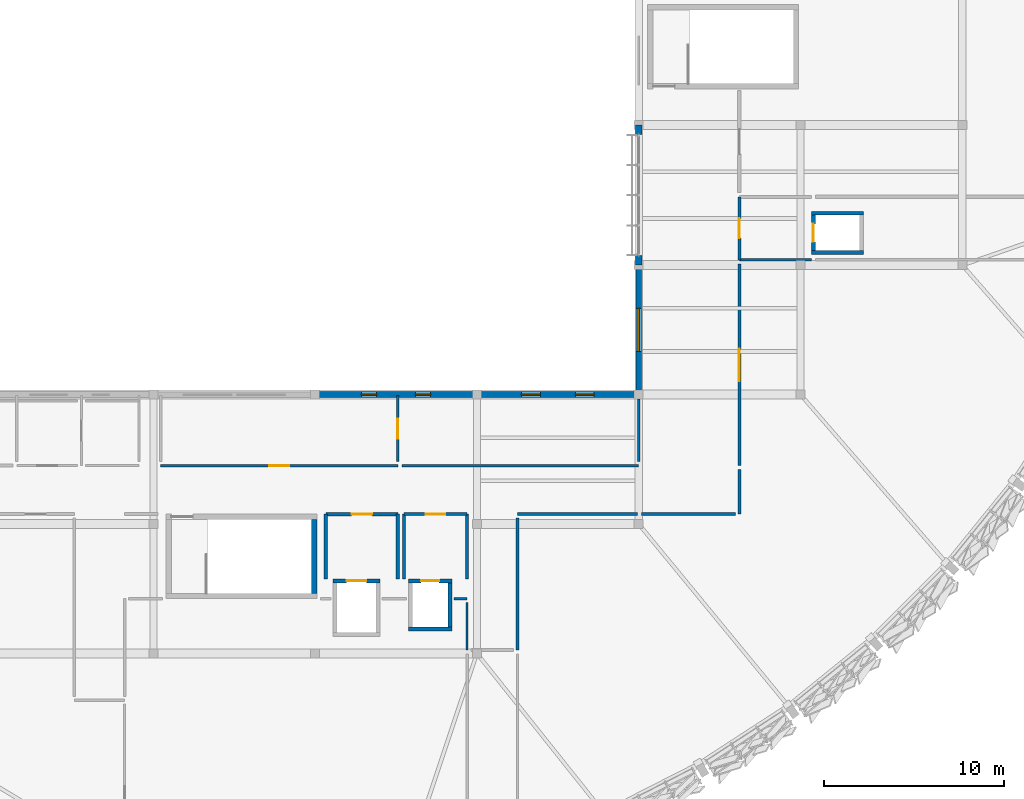
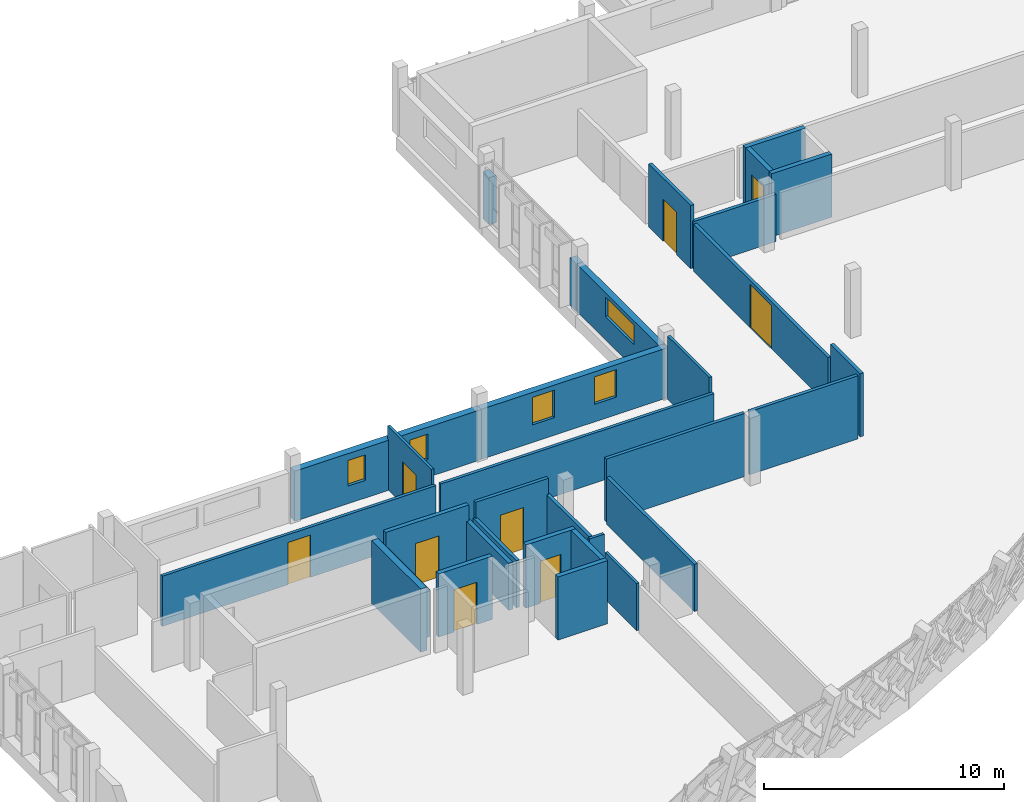
# One storey, part 22 of 24: 32 walls, 9 doors, 5 windows, 14 openings.
"""IFC4 building model written with IfcOpenShell, lengths in metres."""

from ifc_helpers import new_model, si_unit, direction, frame, frame_2d, origin, place, context, subcontext, project, spatial, rectangle, extrude, material, layer, layer_set, type_object, element, fill, save


model = new_model("IFC4")

# Units and contexts
model_context = context("Model", 3, precision=1e-05, world=origin(), true_north=direction((0.0, 1.0)))
body_context = subcontext(model_context, "Body", "Model", "MODEL_VIEW")
ifc_project = project(units=[si_unit("LENGTHUNIT", "METRE"), si_unit("AREAUNIT", "SQUARE_METRE"), si_unit("VOLUMEUNIT", "CUBIC_METRE"), si_unit("PLANEANGLEUNIT", "RADIAN"), si_unit("MASSUNIT", "GRAM", prefix="KILO")], contexts=[model_context])

# Site, building, storey
site_placement = place(None, origin())
site = spatial("IfcSite", under=ifc_project, at=site_placement, CompositionType="ELEMENT")
building_placement = place(site_placement, origin())
building = spatial("IfcBuilding", under=site, at=building_placement, Name="Chiffa Square Polytechnic", CompositionType="ELEMENT")
storey_placement = place(building_placement, frame((0.0, 0.0, 26.39990234375)))
storey = spatial("IfcBuildingStorey", under=building, at=storey_placement, Name="L06", CompositionType="ELEMENT", Elevation=26.39990234375)

# Wall
ifc_material_1 = material(Name="Concrete C40/50", Category="concrete")
ifc_layer_1 = layer(ifc_material_1, 0.300048828125, Name="Concrete C40/50")
ifc_layer_set_1 = layer_set([ifc_layer_1], Name="Concrete C40/50")
wall_type_1 = type_object("IfcWallType", Name="WL-CORE-300", PredefinedType="SHEAR", material=ifc_layer_set_1)
wall_1_placement = place(storey_placement, frame((130.14990234375, 17.75, 0.0), z_axis=(0.0, 0.0, 1.0), x_axis=(0.0, 1.0, 0.0)))
element("IfcWall", 1, at=wall_1_placement, inside=storey, type_object=wall_type_1, Name="Core or enclosure wall WC-CORE-V1A-L06-EAST", PredefinedType="SHEAR", context=body_context, shape_type="SweptSolid", body=[
    extrude(rectangle(XDim=4.10009765625, YDim=0.300048828125, at=frame_2d((2.050048828125, 0.0))), origin(), (0.0, 0.0, 1.0), 3.22021484375),
])

# Wall, opening, window
ifc_material_2 = material(Name="Precast concrete C40/50", Category="concrete")
ifc_layer_2 = layer(ifc_material_2, 0.300048828125, Name="Precast concrete C40/50")
ifc_layer_set_2 = layer_set([ifc_layer_2], Name="Precast concrete C40/50")
wall_type_2 = type_object("IfcWallType", Name="WL-EXT-PC300", PredefinedType="SOLIDWALL", material=ifc_layer_set_2)
wall_2_placement = place(storey_placement, frame((148.199951171875, 36.0, 0.0), z_axis=(0.0, 0.0, 1.0), x_axis=(0.0, -1.0, 0.0)))
wall_2 = element("IfcWall", 2, at=wall_2_placement, inside=storey, type_object=wall_type_2, Name="Exterior wall WE-V1-L06-0093", PredefinedType="SOLIDWALL", context=body_context, shape_type="SweptSolid", body=[
    extrude(rectangle(XDim=7.199951171875, YDim=0.300048828125, at=frame_2d((3.60009765625, 0.0))), origin(), (0.0, 0.0, 1.0), 2.405029296875),
])
opening_1_placement = place(wall_2_placement, frame((2.39990234375, 0.0, 1.18505859375)))
opening_1 = element("IfcOpeningElement", 3, at=opening_1_placement, cuts=wall_2, Name="Opening WCL-03", PredefinedType="OPENING", context=body_context, shape_type="SweptSolid", body=[
    extrude(rectangle(XDim=2.39990234375, YDim=1.0, at=frame_2d((1.199951171875, 0.5))), frame((0.0, 0.16015625, 0.0), z_axis=(0.0, -1.0, 0.0), x_axis=(1.0, 0.0, 0.0)), (0.0, 0.0, 1.0), 0.320068359375),
])
ifc_material_3 = material(Name="Double glazing in thermally broken aluminium frame", Category="aluminium")
window_type_1 = type_object("IfcWindowType", Name="WIN-CLR-2400X1000", PartitioningType="DOUBLE_PANEL_VERTICAL", PredefinedType="WINDOW", material=ifc_material_3)
window_1_placement = place(opening_1_placement, origin())
window_1 = element("IfcWindow", 4, at=window_1_placement, inside=storey, type_object=window_type_1, Name="Facade window WN-L06-0092", OverallHeight=1.0, OverallWidth=2.39990234375, PartitioningType="DOUBLE_PANEL_VERTICAL", PredefinedType="WINDOW", context=body_context, shape_type="SweptSolid", body=[
    extrude(rectangle(XDim=2.39990234375, YDim=1.0, at=frame_2d((1.199951171875, 0.5))), frame((0.0, 0.030029296875, 0.0), z_axis=(0.0, -1.0, 0.0), x_axis=(1.0, 0.0, 0.0)), (0.0, 0.0, 1.0), 0.06005859375),
])
fill(opening_1, window_1)

# Wall, openings, windows
ifc_layer_3 = layer(ifc_material_2, 0.320068359375, Name="Precast concrete C40/50")
ifc_layer_set_3 = layer_set([ifc_layer_3], Name="Precast concrete C40/50")
wall_type_3 = type_object("IfcWallType", Name="WL-EXT-PC320", PredefinedType="SOLIDWALL", material=ifc_layer_set_3)
wall_3_placement = place(storey_placement, frame((148.199951171875, 28.800048828125, 0.0), z_axis=(0.0, 0.0, 1.0), x_axis=(-1.0, 0.0, 0.0)))
wall_3 = element("IfcWall", 5, at=wall_3_placement, inside=storey, type_object=wall_type_3, Name="Exterior wall WE-V1-L06-0094", PredefinedType="SOLIDWALL", context=body_context, shape_type="SweptSolid", body=[
    extrude(rectangle(XDim=9.0, YDim=0.320068359375, at=frame_2d((4.5, 0.0))), origin(), (0.0, 0.0, 1.0), 2.55517578125),
])
opening_2_placement = place(wall_3_placement, frame((2.47509765625, 0.0, 0.89990234375)))
opening_2 = element("IfcOpeningElement", 6, at=opening_2_placement, cuts=wall_3, Name="Opening W-20", PredefinedType="OPENING", context=body_context, shape_type="SweptSolid", body=[
    extrude(rectangle(XDim=1.050048828125, YDim=1.39990234375, at=frame_2d((0.52490234375, 0.699951171875))), frame((0.0, 0.169921875, 0.0), z_axis=(0.0, -1.0, 0.0), x_axis=(1.0, 0.0, 0.0)), (0.0, 0.0, 1.0), 0.340087890625),
])
opening_3_placement = place(wall_3_placement, frame((5.47509765625, 0.0, 0.89990234375)))
opening_3 = element("IfcOpeningElement", 7, at=opening_3_placement, cuts=wall_3, Name="Opening W-20", PredefinedType="OPENING", context=body_context, shape_type="SweptSolid", body=[
    extrude(rectangle(XDim=1.050048828125, YDim=1.39990234375, at=frame_2d((0.52490234375, 0.699951171875))), frame((0.0, 0.169921875, 0.0), z_axis=(0.0, -1.0, 0.0), x_axis=(1.0, 0.0, 0.0)), (0.0, 0.0, 1.0), 0.340087890625),
])
window_type_2 = type_object("IfcWindowType", Name="WIN-OFF-1050X1400", PartitioningType="DOUBLE_PANEL_VERTICAL", PredefinedType="WINDOW", material=ifc_material_3)
window_2_placement = place(opening_2_placement, origin())
window_2 = element("IfcWindow", 8, at=window_2_placement, inside=storey, type_object=window_type_2, Name="Facade window WN-L06-0093", OverallHeight=1.39990234375, OverallWidth=1.050048828125, PartitioningType="DOUBLE_PANEL_VERTICAL", PredefinedType="WINDOW", context=body_context, shape_type="SweptSolid", body=[
    extrude(rectangle(XDim=1.050048828125, YDim=1.39990234375, at=frame_2d((0.52490234375, 0.699951171875))), frame((0.0, 0.030029296875, 0.0), z_axis=(0.0, -1.0, 0.0), x_axis=(1.0, 0.0, 0.0)), (0.0, 0.0, 1.0), 0.06005859375),
])
fill(opening_2, window_2)
window_3_placement = place(opening_3_placement, origin())
window_3 = element("IfcWindow", 9, at=window_3_placement, inside=storey, type_object=window_type_2, Name="Facade window WN-L06-0094", OverallHeight=1.39990234375, OverallWidth=1.050048828125, PartitioningType="DOUBLE_PANEL_VERTICAL", PredefinedType="WINDOW", context=body_context, shape_type="SweptSolid", body=[
    extrude(rectangle(XDim=1.050048828125, YDim=1.39990234375, at=frame_2d((0.52490234375, 0.699951171875))), frame((0.0, 0.030029296875, 0.0), z_axis=(0.0, -1.0, 0.0), x_axis=(1.0, 0.0, 0.0)), (0.0, 0.0, 1.0), 0.06005859375),
])
fill(opening_3, window_3)

# Walls
ifc_layer_4 = layer(ifc_material_2, 0.340087890625, Name="Precast concrete C40/50")
ifc_layer_set_4 = layer_set([ifc_layer_4], Name="Precast concrete C40/50")
wall_type_4 = type_object("IfcWallType", Name="WL-EXT-PC340", PredefinedType="SOLIDWALL", material=ifc_layer_set_4)
for number, where, z_axis, x_axis, name in (
    (10, (148.199951171875, 43.800048828125, 0.0), (0.0, 0.0, 1.0), (0.0, -1.0, 0.0), "Facade column pier V1-L06-0092L"),
    (11, (148.199951171875, 36.5400390625, 0.0), (0.0, 0.0, 1.0), (0.0, -1.0, 0.0), "Facade column pier V1-L06-0092R"),
):
    element("IfcWall", number, at=place(storey_placement, frame(where, z_axis=z_axis, x_axis=x_axis)), inside=storey, type_object=wall_type_4, Name=name, PredefinedType="SOLIDWALL", context=body_context, shape_type="SweptSolid", body=[
        extrude(rectangle(XDim=0.5400390625, YDim=0.340087890625, at=frame_2d((0.27001953125, 0.0))), origin(), (0.0, 0.0, 1.0), 2.405029296875),
    ])

# Wall, openings, windows
wall_4_placement = place(storey_placement, frame((139.199951171875, 28.800048828125, 0.0), z_axis=(0.0, 0.0, 1.0), x_axis=(-1.0, 0.0, 0.0)))
wall_4 = element("IfcWall", 12, at=wall_4_placement, inside=storey, type_object=wall_type_4, Name="Exterior wall WE-V1-L06-0095", PredefinedType="SOLIDWALL", context=body_context, shape_type="SweptSolid", body=[
    extrude(rectangle(XDim=9.0, YDim=0.340087890625, at=frame_2d((4.5, 0.0))), origin(), (0.0, 0.0, 1.0), 2.55517578125),
])
opening_4_placement = place(wall_4_placement, frame((2.574951171875, 0.0, 0.89990234375)))
opening_4 = element("IfcOpeningElement", 13, at=opening_4_placement, cuts=wall_4, Name="Opening W-22", PredefinedType="OPENING", context=body_context, shape_type="SweptSolid", body=[
    extrude(rectangle(XDim=0.85009765625, YDim=1.300048828125, at=frame_2d((0.425048828125, 0.64990234375))), frame((0.0, 0.18017578125, 0.0), z_axis=(0.0, -1.0, 0.0), x_axis=(1.0, 0.0, 0.0)), (0.0, 0.0, 1.0), 0.360107421875),
])
opening_5_placement = place(wall_4_placement, frame((5.574951171875, 0.0, 0.89990234375)))
opening_5 = element("IfcOpeningElement", 14, at=opening_5_placement, cuts=wall_4, Name="Opening W-22", PredefinedType="OPENING", context=body_context, shape_type="SweptSolid", body=[
    extrude(rectangle(XDim=0.85009765625, YDim=1.300048828125, at=frame_2d((0.425048828125, 0.64990234375))), frame((0.0, 0.18017578125, 0.0), z_axis=(0.0, -1.0, 0.0), x_axis=(1.0, 0.0, 0.0)), (0.0, 0.0, 1.0), 0.360107421875),
])
window_type_3 = type_object("IfcWindowType", Name="WIN-OFF-0850X1300", PartitioningType="DOUBLE_PANEL_VERTICAL", PredefinedType="WINDOW", material=ifc_material_3)
window_4_placement = place(opening_4_placement, origin())
window_4 = element("IfcWindow", 15, at=window_4_placement, inside=storey, type_object=window_type_3, Name="Facade window WN-L06-0095", OverallHeight=1.300048828125, OverallWidth=0.85009765625, PartitioningType="DOUBLE_PANEL_VERTICAL", PredefinedType="WINDOW", context=body_context, shape_type="SweptSolid", body=[
    extrude(rectangle(XDim=0.85009765625, YDim=1.300048828125, at=frame_2d((0.425048828125, 0.64990234375))), frame((0.0, 0.030029296875, 0.0), z_axis=(0.0, -1.0, 0.0), x_axis=(1.0, 0.0, 0.0)), (0.0, 0.0, 1.0), 0.06005859375),
])
fill(opening_4, window_4)
window_5_placement = place(opening_5_placement, origin())
window_5 = element("IfcWindow", 16, at=window_5_placement, inside=storey, type_object=window_type_3, Name="Facade window WN-L06-0096", OverallHeight=1.300048828125, OverallWidth=0.85009765625, PartitioningType="DOUBLE_PANEL_VERTICAL", PredefinedType="WINDOW", context=body_context, shape_type="SweptSolid", body=[
    extrude(rectangle(XDim=0.85009765625, YDim=1.300048828125, at=frame_2d((0.425048828125, 0.64990234375))), frame((0.0, 0.030029296875, 0.0), z_axis=(0.0, -1.0, 0.0), x_axis=(1.0, 0.0, 0.0)), (0.0, 0.0, 1.0), 0.06005859375),
])
fill(opening_5, window_5)

# Wall, opening, door
ifc_material_4 = material(Name="Gypsum board on steel stud", Category="steel")
ifc_layer_5 = layer(ifc_material_4, 0.125, Name="Gypsum board on steel stud")
ifc_layer_set_5 = layer_set([ifc_layer_5], Name="Gypsum board on steel stud")
wall_type_5 = type_object("IfcWallType", Name="WL-PART-125", PredefinedType="PARTITIONING", material=ifc_layer_set_5)
wall_5_placement = place(storey_placement, frame((134.800048828125, 25.070068359375, 0.0), z_axis=(0.0, 0.0, 1.0), x_axis=(0.0, 1.0, 0.0)))
wall_5 = element("IfcWall", 17, at=wall_5_placement, inside=storey, type_object=wall_type_5, Name="Interior partition WP-V1-L06-0722", PredefinedType="PARTITIONING", context=body_context, shape_type="SweptSolid", body=[
    extrude(rectangle(XDim=3.675048828125, YDim=0.125, at=frame_2d((1.83740234375, 0.0))), origin(), (0.0, 0.0, 1.0), 3.22021484375),
])
opening_6_placement = place(wall_5_placement, frame((1.2880859375, 0.0, 0.0)))
opening_6 = element("IfcOpeningElement", 18, at=opening_6_placement, cuts=wall_5, Name="Opening DI-L06-243", PredefinedType="OPENING", context=body_context, shape_type="SweptSolid", body=[
    extrude(rectangle(XDim=1.10009765625, YDim=2.14990234375, at=frame_2d((0.550048828125, 1.074951171875))), frame((0.0, 0.072509765625, 0.0), z_axis=(0.0, -1.0, 0.0), x_axis=(1.0, 0.0, 0.0)), (0.0, 0.0, 1.0), 0.14501953125),
])
ifc_material_5 = material(Name="Solid core ash veneer door")
door_type_1 = type_object("IfcDoorType", Name="DR-INT-1100", OperationType="NOTDEFINED", PredefinedType="DOOR", material=ifc_material_5)
door_1_placement = place(opening_6_placement, origin())
door_1 = element("IfcDoor", 19, at=door_1_placement, inside=storey, type_object=door_type_1, Name="Interior room door DI-L06-243", OperationType="SINGLE_SWING_RIGHT", OverallHeight=2.14990234375, OverallWidth=1.10009765625, PredefinedType="DOOR", context=body_context, shape_type="SweptSolid", body=[
    extrude(rectangle(XDim=1.10009765625, YDim=2.14990234375, at=frame_2d((0.550048828125, 1.074951171875))), frame((0.0, 0.02490234375, 0.0), z_axis=(0.0, -1.0, 0.0), x_axis=(1.0, 0.0, 0.0)), (0.0, 0.0, 1.0), 0.050048828125),
])
fill(opening_6, door_1)

# Walls
wall_6_placement = place(storey_placement, frame((138.64990234375, 14.60009765625, 0.0), z_axis=(0.0, 0.0, 1.0), x_axis=(0.0, 1.0, 0.0)))
element("IfcWall", 20, at=wall_6_placement, inside=storey, type_object=wall_type_5, Name="Interior partition WP-V1-L06-0743", PredefinedType="PARTITIONING", context=body_context, shape_type="SweptSolid", body=[
    extrude(rectangle(XDim=2.6298828125, YDim=0.125, at=frame_2d((1.31494140625, 0.0))), origin(), (0.0, 0.0, 1.0), 2.405029296875),
])
ifc_layer_6 = layer(ifc_material_4, 0.135009765625, Name="Gypsum board on steel stud")
ifc_layer_set_6 = layer_set([ifc_layer_6], Name="Gypsum board on steel stud")
wall_type_6 = type_object("IfcWallType", Name="WL-PART-135", PredefinedType="PARTITIONING", material=ifc_layer_set_6)
wall_7_placement = place(storey_placement, frame((148.199951171875, 25.070068359375, 0.0), z_axis=(0.0, 0.0, 1.0), x_axis=(0.0, 1.0, 0.0)))
element("IfcWall", 21, at=wall_7_placement, inside=storey, type_object=wall_type_6, Name="Interior partition WP-V1-L06-0724", PredefinedType="PARTITIONING", context=body_context, shape_type="SweptSolid", body=[
    extrude(rectangle(XDim=3.489990234375, YDim=0.135009765625, at=frame_2d((1.7451171875, 0.0))), origin(), (0.0, 0.0, 1.0), 3.22021484375),
])
wall_8_placement = place(storey_placement, frame((137.929931640625, 17.449951171875, 0.0), z_axis=(0.0, 0.0, 1.0), x_axis=(1.0, 0.0, 0.0)))
element("IfcWall", 22, at=wall_8_placement, inside=storey, type_object=wall_type_6, Name="Interior partition WP-V1-L06-0742", PredefinedType="PARTITIONING", context=body_context, shape_type="SweptSolid", body=[
    extrude(rectangle(XDim=0.719970703125, YDim=0.135009765625, at=frame_2d((0.35986328125, 0.0))), origin(), (0.0, 0.0, 1.0), 3.22021484375),
])

# Wall, opening, door
ifc_layer_7 = layer(ifc_material_4, 0.14501953125, Name="Gypsum board on steel stud")
ifc_layer_set_7 = layer_set([ifc_layer_7], Name="Gypsum board on steel stud")
wall_type_7 = type_object("IfcWallType", Name="WL-PART-145", PredefinedType="PARTITIONING", material=ifc_layer_set_7)
wall_9_placement = place(storey_placement, frame((121.60009765625, 24.85009765625, 0.0), z_axis=(0.0, 0.0, 1.0), x_axis=(1.0, 0.0, 0.0)))
wall_9 = element("IfcWall", 23, at=wall_9_placement, inside=storey, type_object=wall_type_7, Name="Interior partition WP-V1-L06-0720", PredefinedType="PARTITIONING", context=body_context, shape_type="SweptSolid", body=[
    extrude(rectangle(XDim=13.199951171875, YDim=0.14501953125, at=frame_2d((6.60009765625, 0.0))), origin(), (0.0, 0.0, 1.0), 2.55517578125),
])
opening_7_placement = place(wall_9_placement, frame((6.050048828125, 0.0, 0.0)))
opening_7 = element("IfcOpeningElement", 24, at=opening_7_placement, cuts=wall_9, Name="Opening DI-L06-242", PredefinedType="OPENING", context=body_context, shape_type="SweptSolid", body=[
    extrude(rectangle(XDim=1.10009765625, YDim=2.14990234375, at=frame_2d((0.550048828125, 1.074951171875))), frame((0.0, 0.08251953125, 0.0), z_axis=(0.0, -1.0, 0.0), x_axis=(1.0, 0.0, 0.0)), (0.0, 0.0, 1.0), 0.1650390625),
])
door_2_placement = place(opening_7_placement, origin())
door_2 = element("IfcDoor", 25, at=door_2_placement, inside=storey, type_object=door_type_1, Name="Interior room door DI-L06-242", OperationType="SINGLE_SWING_LEFT", OverallHeight=2.14990234375, OverallWidth=1.10009765625, PredefinedType="DOOR", context=body_context, shape_type="SweptSolid", body=[
    extrude(rectangle(XDim=1.10009765625, YDim=2.14990234375, at=frame_2d((0.550048828125, 1.074951171875))), frame((0.0, 0.02490234375, 0.0), z_axis=(0.0, -1.0, 0.0), x_axis=(1.0, 0.0, 0.0)), (0.0, 0.0, 1.0), 0.050048828125),
])
fill(opening_7, door_2)

# Wall
wall_10_placement = place(storey_placement, frame((135.02001953125, 24.85009765625, 0.0), z_axis=(0.0, 0.0, 1.0), x_axis=(1.0, 0.0, 0.0)))
element("IfcWall", 26, at=wall_10_placement, inside=storey, type_object=wall_type_7, Name="Interior partition WP-V1-L06-0723", PredefinedType="PARTITIONING", context=body_context, shape_type="SweptSolid", body=[
    extrude(rectangle(XDim=13.179931640625, YDim=0.14501953125, at=frame_2d((6.58984375, 0.0))), origin(), (0.0, 0.0, 1.0), 2.55517578125),
])

# Wall, opening, door
ifc_material_6 = material(Name="Autoclaved aerated concrete blockwork", Category="masonry")
ifc_layer_8 = layer(ifc_material_6, 0.199951171875, Name="Autoclaved aerated concrete blockwork")
ifc_layer_set_8 = layer_set([ifc_layer_8], Name="Autoclaved aerated concrete blockwork")
wall_type_8 = type_object("IfcWallType", Name="WL-PART-EI120-200", PredefinedType="PARTITIONING", material=ifc_layer_set_8)
wall_11_placement = place(storey_placement, frame((130.800048828125, 22.14990234375, 0.0), z_axis=(0.0, 0.0, 1.0), x_axis=(1.0, 0.0, 0.0)))
wall_11 = element("IfcWall", 27, at=wall_11_placement, inside=storey, type_object=wall_type_8, Name="Lift lobby rated enclosure WP-LOB-LF-V1-L06-NORTH", PredefinedType="PARTITIONING", context=body_context, shape_type="SweptSolid", body=[
    extrude(rectangle(XDim=4.0, YDim=0.199951171875, at=frame_2d((2.0, 0.0))), origin(), (0.0, 0.0, 1.0), 3.22021484375),
])
opening_8_placement = place(wall_11_placement, frame((1.425048828125, 0.0, 0.0)))
opening_8 = element("IfcOpeningElement", 28, at=opening_8_placement, cuts=wall_11, Name="Opening DI-L06-008", PredefinedType="OPENING", context=body_context, shape_type="SweptSolid", body=[
    extrude(rectangle(XDim=1.14990234375, YDim=2.14990234375, at=frame_2d((0.574951171875, 1.074951171875))), frame((0.0, 0.10986328125, 0.0), z_axis=(0.0, -1.0, 0.0), x_axis=(1.0, 0.0, 0.0)), (0.0, 0.0, 1.0), 0.219970703125),
])
ifc_material_7 = material(Name="Fire-rated steel door leaf", Category="steel")
door_type_2 = type_object("IfcDoorType", Name="DR-LOBBY-FD120", OperationType="NOTDEFINED", PredefinedType="DOOR", material=ifc_material_7)
door_3_placement = place(opening_8_placement, origin())
door_3 = element("IfcDoor", 29, at=door_3_placement, inside=storey, type_object=door_type_2, Name="Lift lobby fire door DI-L06-008", OperationType="SINGLE_SWING_LEFT", OverallHeight=2.14990234375, OverallWidth=1.14990234375, PredefinedType="DOOR", context=body_context, shape_type="SweptSolid", body=[
    extrude(rectangle(XDim=1.14990234375, YDim=2.14990234375, at=frame_2d((0.574951171875, 1.074951171875))), frame((0.0, 0.02490234375, 0.0), z_axis=(0.0, -1.0, 0.0), x_axis=(1.0, 0.0, 0.0)), (0.0, 0.0, 1.0), 0.050048828125),
])
fill(opening_8, door_3)

# Walls
for number, where, z_axis, x_axis, name in (
    (30, (130.800048828125, 18.550048828125, 0.0), (0.0, 0.0, 1.0), (0.0, 1.0, 0.0), "Lift lobby rated enclosure WP-LOB-LF-V1-L06-WEST"),
    (31, (134.800048828125, 18.550048828125, 0.0), (0.0, 0.0, 1.0), (0.0, 1.0, 0.0), "Lift lobby rated enclosure WP-LOB-LF-V1-L06-EAST"),
):
    element("IfcWall", number, at=place(storey_placement, frame(where, z_axis=z_axis, x_axis=x_axis)), inside=storey, type_object=wall_type_8, Name=name, PredefinedType="PARTITIONING", context=body_context, shape_type="SweptSolid", body=[
        extrude(rectangle(XDim=3.599853515625, YDim=0.199951171875, at=frame_2d((1.7998046875, 0.0))), origin(), (0.0, 0.0, 1.0), 2.405029296875),
    ])

# Wall, opening, door
ifc_material_8 = material(Name="Gypsum board on acoustic steel stud", Category="steel")
ifc_layer_9 = layer(ifc_material_8, 0.159912109375, Name="Gypsum board on acoustic steel stud")
ifc_layer_set_9 = layer_set([ifc_layer_9], Name="Gypsum board on acoustic steel stud")
wall_type_9 = type_object("IfcWallType", Name="WL-PART-EI60-160", PredefinedType="PARTITIONING", material=ifc_layer_set_9)
wall_12_placement = place(storey_placement, frame((135.14990234375, 22.14990234375, 0.0), z_axis=(0.0, 0.0, 1.0), x_axis=(1.0, 0.0, 0.0)))
wall_12 = element("IfcWall", 32, at=wall_12_placement, inside=storey, type_object=wall_type_9, Name="Lift lobby rated enclosure WP-LOB-LP-V1A-L06-NORTH", PredefinedType="PARTITIONING", context=body_context, shape_type="SweptSolid", body=[
    extrude(rectangle(XDim=3.5, YDim=0.159912109375, at=frame_2d((1.75, 0.0))), origin(), (0.0, 0.0, 1.0), 3.22021484375),
])
opening_9_placement = place(wall_12_placement, frame((1.199951171875, 0.0, 0.0)))
opening_9 = element("IfcOpeningElement", 33, at=opening_9_placement, cuts=wall_12, Name="Opening DI-L06-016", PredefinedType="OPENING", context=body_context, shape_type="SweptSolid", body=[
    extrude(rectangle(XDim=1.10009765625, YDim=2.14990234375, at=frame_2d((0.550048828125, 1.074951171875))), frame((0.0, 0.08984375, 0.0), z_axis=(0.0, -1.0, 0.0), x_axis=(1.0, 0.0, 0.0)), (0.0, 0.0, 1.0), 0.179931640625),
])
door_4_placement = place(opening_9_placement, origin())
door_4 = element("IfcDoor", 34, at=door_4_placement, inside=storey, type_object=door_type_1, Name="Lift lobby fire door DI-L06-016", OperationType="SINGLE_SWING_LEFT", OverallHeight=2.14990234375, OverallWidth=1.10009765625, PredefinedType="DOOR", context=body_context, shape_type="SweptSolid", body=[
    extrude(rectangle(XDim=1.10009765625, YDim=2.14990234375, at=frame_2d((0.550048828125, 1.074951171875))), frame((0.0, 0.02490234375, 0.0), z_axis=(0.0, -1.0, 0.0), x_axis=(1.0, 0.0, 0.0)), (0.0, 0.0, 1.0), 0.050048828125),
])
fill(opening_9, door_4)

# Walls
for number, where, z_axis, x_axis, name in (
    (35, (135.14990234375, 18.550048828125, 0.0), (0.0, 0.0, 1.0), (0.0, 1.0, 0.0), "Lift lobby rated enclosure WP-LOB-LP-V1A-L06-WEST"),
    (36, (138.64990234375, 18.550048828125, 0.0), (0.0, 0.0, 1.0), (0.0, 1.0, 0.0), "Lift lobby rated enclosure WP-LOB-LP-V1A-L06-EAST"),
):
    element("IfcWall", number, at=place(storey_placement, frame(where, z_axis=z_axis, x_axis=x_axis)), inside=storey, type_object=wall_type_9, Name=name, PredefinedType="PARTITIONING", context=body_context, shape_type="SweptSolid", body=[
        extrude(rectangle(XDim=3.599853515625, YDim=0.159912109375, at=frame_2d((1.7998046875, 0.0))), origin(), (0.0, 0.0, 1.0), 2.405029296875),
    ])
wall_13_placement = place(storey_placement, frame((153.800048828125, 36.300048828125, 0.0), z_axis=(0.0, 0.0, 1.0), x_axis=(1.0, 0.0, 0.0)))
element("IfcWall", 37, at=wall_13_placement, inside=storey, type_object=wall_type_9, Name="Lift lobby rated enclosure WP-LOB-LP-V1B-L06-SOUTH", PredefinedType="PARTITIONING", context=body_context, shape_type="SweptSolid", body=[
    extrude(rectangle(XDim=4.0, YDim=0.159912109375, at=frame_2d((2.0, 0.0))), origin(), (0.0, 0.0, 1.0), 2.405029296875),
])

# Wall, opening, door
wall_14_placement = place(storey_placement, frame((153.800048828125, 36.300048828125, 0.0), z_axis=(0.0, 0.0, 1.0), x_axis=(0.0, 1.0, 0.0)))
wall_14 = element("IfcWall", 38, at=wall_14_placement, inside=storey, type_object=wall_type_9, Name="Lift lobby rated enclosure WP-LOB-LP-V1B-L06-WEST", PredefinedType="PARTITIONING", context=body_context, shape_type="SweptSolid", body=[
    extrude(rectangle(XDim=3.5, YDim=0.159912109375, at=frame_2d((1.75, 0.0))), origin(), (0.0, 0.0, 1.0), 3.22021484375),
])
opening_10_placement = place(wall_14_placement, frame((1.199951171875, 0.0, 0.0)))
opening_10 = element("IfcOpeningElement", 39, at=opening_10_placement, cuts=wall_14, Name="Opening DI-L06-024", PredefinedType="OPENING", context=body_context, shape_type="SweptSolid", body=[
    extrude(rectangle(XDim=1.10009765625, YDim=2.14990234375, at=frame_2d((0.550048828125, 1.074951171875))), frame((0.0, 0.08984375, 0.0), z_axis=(0.0, -1.0, 0.0), x_axis=(1.0, 0.0, 0.0)), (0.0, 0.0, 1.0), 0.179931640625),
])
door_5_placement = place(opening_10_placement, origin())
door_5 = element("IfcDoor", 40, at=door_5_placement, inside=storey, type_object=door_type_1, Name="Lift lobby fire door DI-L06-024", OperationType="SINGLE_SWING_LEFT", OverallHeight=2.14990234375, OverallWidth=1.10009765625, PredefinedType="DOOR", context=body_context, shape_type="SweptSolid", body=[
    extrude(rectangle(XDim=1.10009765625, YDim=2.14990234375, at=frame_2d((0.550048828125, 1.074951171875))), frame((0.0, 0.02490234375, 0.0), z_axis=(0.0, -1.0, 0.0), x_axis=(1.0, 0.0, 0.0)), (0.0, 0.0, 1.0), 0.050048828125),
])
fill(opening_10, door_5)

wall_15_placement = place(storey_placement, frame((153.800048828125, 24.85009765625, 0.0), z_axis=(0.0, 0.0, 1.0), x_axis=(0.0, 1.0, 0.0)))
wall_15 = element("IfcWall", 41, at=wall_15_placement, inside=storey, type_object=wall_type_9, Name="Interior partition WP-V1-L06-0733", PredefinedType="PARTITIONING", context=body_context, shape_type="SweptSolid", body=[
    extrude(rectangle(XDim=11.2099609375, YDim=0.159912109375, at=frame_2d((5.60498046875, 0.0))), origin(), (0.0, 0.0, 1.0), 2.405029296875),
])
opening_11_placement = place(wall_15_placement, frame((4.705078125, 0.0, 0.0)))
opening_11 = element("IfcOpeningElement", 42, at=opening_11_placement, cuts=wall_15, Name="Opening DI-L06-247", PredefinedType="OPENING", context=body_context, shape_type="SweptSolid", body=[
    extrude(rectangle(XDim=1.800048828125, YDim=2.199951171875, at=frame_2d((0.89990234375, 1.10009765625))), frame((0.0, 0.08984375, 0.0), z_axis=(0.0, -1.0, 0.0), x_axis=(1.0, 0.0, 0.0)), (0.0, 0.0, 1.0), 0.179931640625),
])
ifc_material_9 = material(Name="Solid oak fire door pair")
door_type_3 = type_object("IfcDoorType", Name="DR-CORR-DBL-1800", OperationType="DOUBLE_DOOR_SINGLE_SWING", PredefinedType="DOOR", material=ifc_material_9)
door_6_placement = place(opening_11_placement, origin())
door_6 = element("IfcDoor", 43, at=door_6_placement, inside=storey, type_object=door_type_3, Name="Interior room door DI-L06-247", OperationType="DOUBLE_DOOR_SINGLE_SWING", OverallHeight=2.199951171875, OverallWidth=1.800048828125, PredefinedType="DOOR", context=body_context, shape_type="SweptSolid", body=[
    extrude(rectangle(XDim=1.800048828125, YDim=2.199951171875, at=frame_2d((0.89990234375, 1.10009765625))), frame((0.0, 0.02490234375, 0.0), z_axis=(0.0, -1.0, 0.0), x_axis=(1.0, 0.0, 0.0)), (0.0, 0.0, 1.0), 0.050048828125),
])
fill(opening_11, door_6)

# Walls
wall_16_placement = place(storey_placement, frame((153.800048828125, 22.14990234375, 0.0), z_axis=(0.0, 0.0, 1.0), x_axis=(0.0, 1.0, 0.0)))
element("IfcWall", 44, at=wall_16_placement, inside=storey, type_object=wall_type_9, Name="Interior partition WP-V1-L06-0734", PredefinedType="PARTITIONING", context=body_context, shape_type="SweptSolid", body=[
    extrude(rectangle(XDim=2.47998046875, YDim=0.159912109375, at=frame_2d((1.239990234375, 0.0))), origin(), (0.0, 0.0, 1.0), 3.22021484375),
])
wall_17_placement = place(storey_placement, frame((148.35009765625, 22.14990234375, 0.0), z_axis=(0.0, 0.0, 1.0), x_axis=(1.0, 0.0, 0.0)))
element("IfcWall", 45, at=wall_17_placement, inside=storey, type_object=wall_type_9, Name="Interior partition WP-V1-L06-0735", PredefinedType="PARTITIONING", context=body_context, shape_type="SweptSolid", body=[
    extrude(rectangle(XDim=5.22998046875, YDim=0.159912109375, at=frame_2d((2.614990234375, 0.0))), origin(), (0.0, 0.0, 1.0), 3.22021484375),
])
wall_18_placement = place(storey_placement, frame((141.449951171875, 22.14990234375, 0.0), z_axis=(0.0, 0.0, 1.0), x_axis=(1.0, 0.0, 0.0)))
element("IfcWall", 46, at=wall_18_placement, inside=storey, type_object=wall_type_9, Name="Interior partition WP-V1-L06-0736", PredefinedType="PARTITIONING", context=body_context, shape_type="SweptSolid", body=[
    extrude(rectangle(XDim=6.679931640625, YDim=0.159912109375, at=frame_2d((3.33984375, 0.0))), origin(), (0.0, 0.0, 1.0), 3.22021484375),
])
wall_19_placement = place(storey_placement, frame((141.449951171875, 14.60009765625, 0.0), z_axis=(0.0, 0.0, 1.0), x_axis=(0.0, 1.0, 0.0)))
element("IfcWall", 47, at=wall_19_placement, inside=storey, type_object=wall_type_9, Name="Interior partition WP-V1-L06-0737", PredefinedType="PARTITIONING", context=body_context, shape_type="SweptSolid", body=[
    extrude(rectangle(XDim=7.329833984375, YDim=0.159912109375, at=frame_2d((3.6650390625, 0.0))), origin(), (0.0, 0.0, 1.0), 2.405029296875),
])

# Wall, opening, door
ifc_material_10 = material(Name="Concrete C35/45", Category="concrete")
ifc_layer_10 = layer(ifc_material_10, 0.219970703125, Name="Concrete C35/45")
ifc_layer_set_10 = layer_set([ifc_layer_10], Name="Concrete C35/45")
wall_type_10 = type_object("IfcWallType", Name="WL-SHAFT-220", PredefinedType="SHEAR", material=ifc_layer_set_10)
wall_20_placement = place(storey_placement, frame((131.199951171875, 18.43994140625, 0.0), z_axis=(0.0, 0.0, 1.0), x_axis=(1.0, 0.0, 0.0)))
wall_20 = element("IfcWall", 48, at=wall_20_placement, inside=storey, type_object=wall_type_10, Name="Core or enclosure wall WS-LF-V1-L06-NORTH", PredefinedType="SHEAR", context=body_context, shape_type="SweptSolid", body=[
    extrude(rectangle(XDim=2.60009765625, YDim=0.219970703125, at=frame_2d((1.300048828125, 0.0))), origin(), (0.0, 0.0, 1.0), 3.22021484375),
])
opening_12_placement = place(wall_20_placement, frame((0.75, 0.0, 0.0)))
opening_12 = element("IfcOpeningElement", 49, at=opening_12_placement, cuts=wall_20, Name="Opening LD-LF-V1-L06", PredefinedType="OPENING", context=body_context, shape_type="SweptSolid", body=[
    extrude(rectangle(XDim=1.10009765625, YDim=2.14990234375, at=frame_2d((0.550048828125, 1.074951171875))), frame((0.0, 0.1201171875, 0.0), z_axis=(0.0, -1.0, 0.0), x_axis=(1.0, 0.0, 0.0)), (0.0, 0.0, 1.0), 0.239990234375),
])
ifc_material_11 = material(Name="Brushed stainless steel sliding landing door", Category="steel")
door_type_4 = type_object("IfcDoorType", Name="DR-LIFT-1100", OperationType="SLIDING_TO_LEFT", PredefinedType="DOOR", material=ifc_material_11)
door_7_placement = place(opening_12_placement, origin())
door_7 = element("IfcDoor", 50, at=door_7_placement, inside=storey, type_object=door_type_4, Name="Enclosure door LD-LF-V1-L06", OperationType="SLIDING_TO_LEFT", OverallHeight=2.14990234375, OverallWidth=1.10009765625, PredefinedType="DOOR", context=body_context, shape_type="SweptSolid", body=[
    extrude(rectangle(XDim=1.10009765625, YDim=2.14990234375, at=frame_2d((0.550048828125, 1.074951171875))), frame((0.0, 0.02490234375, 0.0), z_axis=(0.0, -1.0, 0.0), x_axis=(1.0, 0.0, 0.0)), (0.0, 0.0, 1.0), 0.050048828125),
])
fill(opening_12, door_7)

# Wall
wall_21_placement = place(storey_placement, frame((135.39990234375, 15.760009765625, 0.0), z_axis=(0.0, 0.0, 1.0), x_axis=(1.0, 0.0, 0.0)))
element("IfcWall", 51, at=wall_21_placement, inside=storey, type_object=wall_type_10, Name="Core or enclosure wall WS-LP-V1A-L06-SOUTH", PredefinedType="SHEAR", context=body_context, shape_type="SweptSolid", body=[
    extrude(rectangle(XDim=2.400146484375, YDim=0.219970703125, at=frame_2d((1.2001953125, 0.0))), origin(), (0.0, 0.0, 1.0), 3.22021484375),
])

# Wall, opening, door
wall_22_placement = place(storey_placement, frame((135.39990234375, 18.43994140625, 0.0), z_axis=(0.0, 0.0, 1.0), x_axis=(1.0, 0.0, 0.0)))
wall_22 = element("IfcWall", 52, at=wall_22_placement, inside=storey, type_object=wall_type_10, Name="Core or enclosure wall WS-LP-V1A-L06-NORTH", PredefinedType="SHEAR", context=body_context, shape_type="SweptSolid", body=[
    extrude(rectangle(XDim=2.400146484375, YDim=0.219970703125, at=frame_2d((1.2001953125, 0.0))), origin(), (0.0, 0.0, 1.0), 3.22021484375),
])
opening_13_placement = place(wall_22_placement, frame((0.699951171875, 0.0, 0.0)))
opening_13 = element("IfcOpeningElement", 53, at=opening_13_placement, cuts=wall_22, Name="Opening LD-LP-V1A-L06", PredefinedType="OPENING", context=body_context, shape_type="SweptSolid", body=[
    extrude(rectangle(XDim=1.0, YDim=2.14990234375, at=frame_2d((0.5, 1.074951171875))), frame((0.0, 0.1201171875, 0.0), z_axis=(0.0, -1.0, 0.0), x_axis=(1.0, 0.0, 0.0)), (0.0, 0.0, 1.0), 0.239990234375),
])
door_type_5 = type_object("IfcDoorType", Name="DR-LIFT-1000", OperationType="SLIDING_TO_RIGHT", PredefinedType="DOOR", material=ifc_material_11)
door_8_placement = place(opening_13_placement, origin())
door_8 = element("IfcDoor", 54, at=door_8_placement, inside=storey, type_object=door_type_5, Name="Enclosure door LD-LP-V1A-L06", OperationType="SLIDING_TO_RIGHT", OverallHeight=2.14990234375, OverallWidth=1.0, PredefinedType="DOOR", context=body_context, shape_type="SweptSolid", body=[
    extrude(rectangle(XDim=1.0, YDim=2.14990234375, at=frame_2d((0.5, 1.074951171875))), frame((0.0, 0.02490234375, 0.0), z_axis=(0.0, -1.0, 0.0), x_axis=(1.0, 0.0, 0.0)), (0.0, 0.0, 1.0), 0.050048828125),
])
fill(opening_13, door_8)

# Walls
wall_23_placement = place(storey_placement, frame((137.68994140625, 15.8701171875, 0.0), z_axis=(0.0, 0.0, 1.0), x_axis=(0.0, 1.0, 0.0)))
element("IfcWall", 55, at=wall_23_placement, inside=storey, type_object=wall_type_10, Name="Core or enclosure wall WS-LP-V1A-L06-EAST", PredefinedType="SHEAR", context=body_context, shape_type="SweptSolid", body=[
    extrude(rectangle(XDim=2.4599609375, YDim=0.219970703125, at=frame_2d((1.22998046875, 0.0))), origin(), (0.0, 0.0, 1.0), 3.22021484375),
])
for number, where, z_axis, x_axis, name in (
    (56, (157.800048828125, 36.7099609375, 0.0), (0.0, 0.0, 1.0), (1.0, 0.0, 0.0), "Core or enclosure wall WS-LP-V1B-L06-SOUTH"),
    (57, (157.800048828125, 38.889892578125, 0.0), (0.0, 0.0, 1.0), (1.0, 0.0, 0.0), "Core or enclosure wall WS-LP-V1B-L06-NORTH"),
):
    element("IfcWall", number, at=place(storey_placement, frame(where, z_axis=z_axis, x_axis=x_axis)), inside=storey, type_object=wall_type_10, Name=name, PredefinedType="SHEAR", context=body_context, shape_type="SweptSolid", body=[
        extrude(rectangle(XDim=2.89990234375, YDim=0.219970703125, at=frame_2d((1.449951171875, 0.0))), origin(), (0.0, 0.0, 1.0), 3.22021484375),
    ])

# Wall, opening, door
wall_24_placement = place(storey_placement, frame((157.909912109375, 36.820068359375, 0.0), z_axis=(0.0, 0.0, 1.0), x_axis=(0.0, 1.0, 0.0)))
wall_24 = element("IfcWall", 58, at=wall_24_placement, inside=storey, type_object=wall_type_10, Name="Core or enclosure wall WS-LP-V1B-L06-WEST", PredefinedType="SHEAR", context=body_context, shape_type="SweptSolid", body=[
    extrude(rectangle(XDim=1.9599609375, YDim=0.219970703125, at=frame_2d((0.97998046875, 0.0))), origin(), (0.0, 0.0, 1.0), 3.22021484375),
])
opening_14_placement = place(wall_24_placement, frame((0.47998046875, 0.0, 0.0)))
opening_14 = element("IfcOpeningElement", 59, at=opening_14_placement, cuts=wall_24, Name="Opening LD-LP-V1B-L06", PredefinedType="OPENING", context=body_context, shape_type="SweptSolid", body=[
    extrude(rectangle(XDim=1.0, YDim=2.14990234375, at=frame_2d((0.5, 1.074951171875))), frame((0.0, 0.1201171875, 0.0), z_axis=(0.0, -1.0, 0.0), x_axis=(1.0, 0.0, 0.0)), (0.0, 0.0, 1.0), 0.239990234375),
])
door_9_placement = place(opening_14_placement, origin())
door_9 = element("IfcDoor", 60, at=door_9_placement, inside=storey, type_object=door_type_5, Name="Enclosure door LD-LP-V1B-L06", OperationType="SLIDING_TO_LEFT", OverallHeight=2.14990234375, OverallWidth=1.0, PredefinedType="DOOR", context=body_context, shape_type="SweptSolid", body=[
    extrude(rectangle(XDim=1.0, YDim=2.14990234375, at=frame_2d((0.5, 1.074951171875))), frame((0.0, 0.02490234375, 0.0), z_axis=(0.0, -1.0, 0.0), x_axis=(1.0, 0.0, 0.0)), (0.0, 0.0, 1.0), 0.050048828125),
])
fill(opening_14, door_9)

save(model, "model.ifc")
